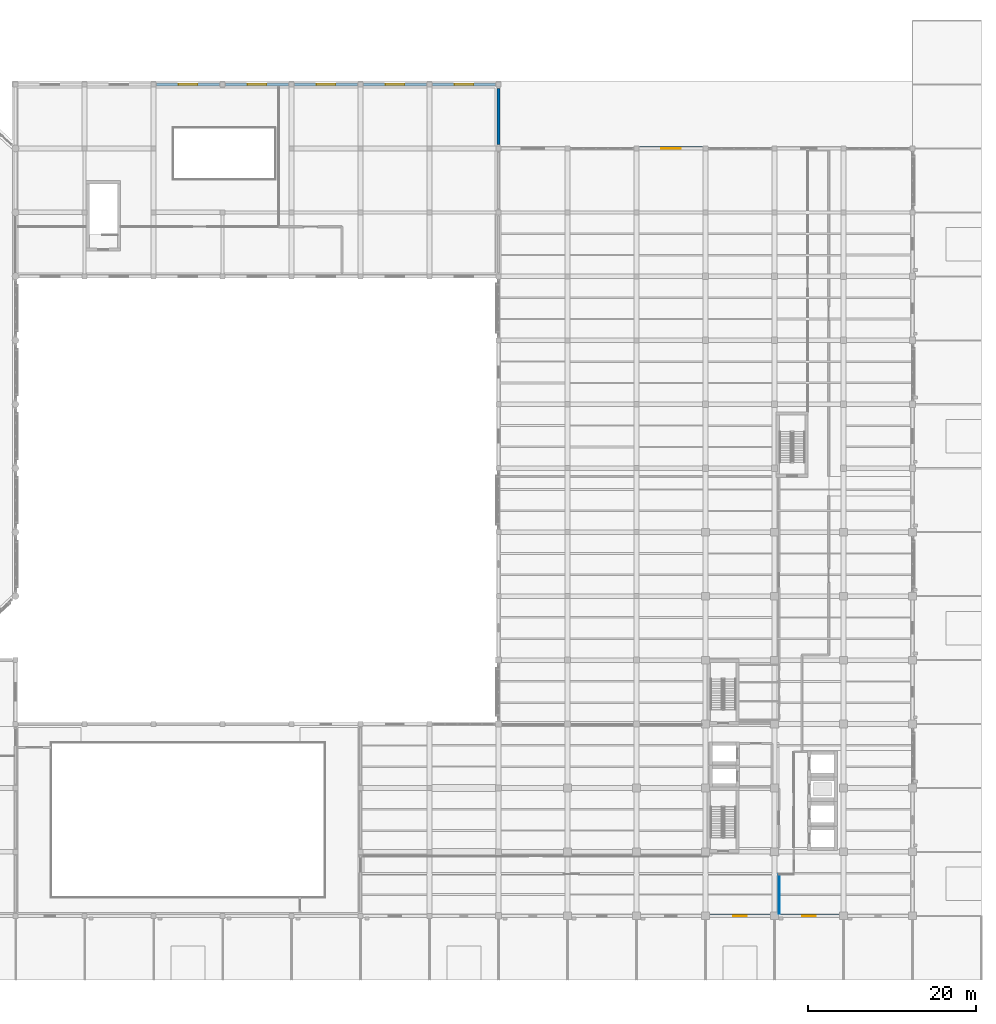
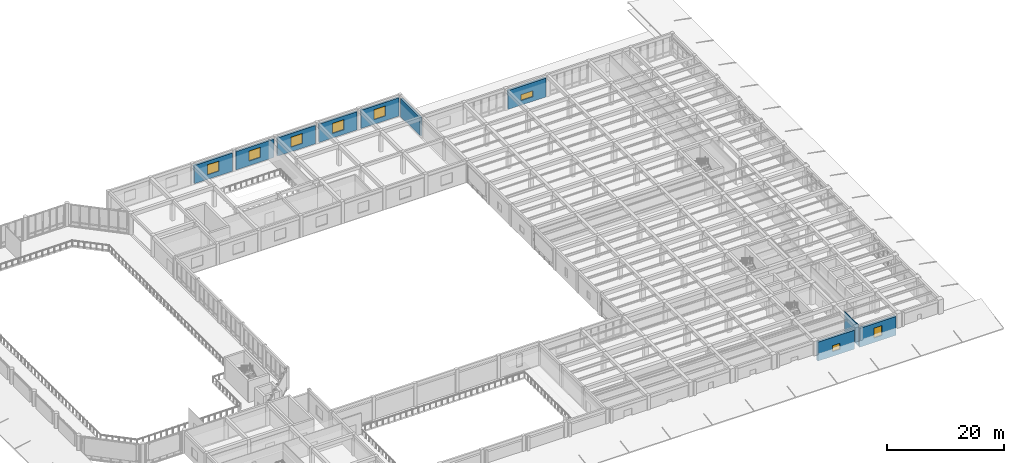
# One storey, part 40 of 57: 10 walls, 8 windows, 8 openings.
"""IFC4 building model written with IfcOpenShell, lengths in metres."""

from ifc_helpers import new_model, si_unit, direction, frame, frame_2d, origin, place, context, subcontext, project, spatial, rectangle, extrude, material, layer, layer_set, type_object, element, fill, save


model = new_model("IFC4")

# Units and contexts
model_context = context("Model", 3, precision=1e-05, world=origin(), true_north=direction((0.0, 1.0)))
body_context = subcontext(model_context, "Body", "Model", "MODEL_VIEW")
ifc_project = project(units=[si_unit("LENGTHUNIT", "METRE"), si_unit("AREAUNIT", "SQUARE_METRE"), si_unit("VOLUMEUNIT", "CUBIC_METRE"), si_unit("PLANEANGLEUNIT", "RADIAN"), si_unit("MASSUNIT", "GRAM", prefix="KILO")], contexts=[model_context])

# Site, building, storey
site_placement = place(None, origin())
site = spatial("IfcSite", under=ifc_project, at=site_placement, CompositionType="ELEMENT")
building_placement = place(site_placement, origin())
building = spatial("IfcBuilding", under=site, at=building_placement, Name="Qandaris Square Conservatory and Botanical Centre", CompositionType="ELEMENT")
storey_placement = place(building_placement, frame((0.0, 0.0, 5.39990234375)))
storey = spatial("IfcBuildingStorey", under=building, at=storey_placement, Name="L01", CompositionType="ELEMENT", Elevation=5.39990234375)

# Wall, opening, window
ifc_material_1 = material(Name="Precast concrete C40/50", Category="concrete")
ifc_layer_1 = layer(ifc_material_1, 0.360107421875)
ifc_layer_set_1 = layer_set([ifc_layer_1], Name="Precast concrete C40/50")
wall_type_1 = type_object("IfcWallType", Name="Architectural Precast Cladding Wall 360mm", PredefinedType="SOLIDWALL", material=ifc_layer_set_1)
wall_1_placement = place(storey_placement, frame((114.239990234375, 115.39990234375, 0.0), z_axis=(0.0, 0.0, 1.0), x_axis=(-1.0, 0.0, 0.0)))
wall_1 = element("IfcWall", 1, at=wall_1_placement, inside=storey, type_object=wall_type_1, Name="Exterior Wall EW-V3B-L01-3-1", PredefinedType="SOLIDWALL", context=body_context, shape_type="SweptSolid", body=[
    extrude(rectangle(XDim=7.47998046875, YDim=0.360107421875, at=frame_2d((3.739990234375, 0.0))), origin(), (0.0, 0.0, 1.0), 3.80517578125),
])
opening_1_placement = place(wall_1_placement, frame((2.614990234375, 0.0, 0.949951171875)))
opening_1 = element("IfcOpeningElement", 2, at=opening_1_placement, cuts=wall_1, Name="Opening WN-12", PredefinedType="OPENING", context=body_context, shape_type="SweptSolid", body=[
    extrude(rectangle(XDim=2.25, YDim=2.10009765625, at=frame_2d((1.125, 1.050048828125))), frame((0.0, 0.19189453125, 0.0), z_axis=(0.0, -1.0, 0.0), x_axis=(1.0, 0.0, 0.0)), (0.0, 0.0, 1.0), 0.384033203125),
])
ifc_material_2 = material(Name="Tempered Low-E Glass", Category="glass")
window_type_1 = type_object("IfcWindowType", Name="Cafe Shaded Court Window 2250x2100", PartitioningType="DOUBLE_PANEL_VERTICAL", PredefinedType="WINDOW", material=ifc_material_2)
window_1_placement = place(opening_1_placement, origin())
window_1 = element("IfcWindow", 3, at=window_1_placement, inside=storey, type_object=window_type_1, Name="Window EW-V3B-L01-3-1", OverallHeight=2.10009765625, OverallWidth=2.25, PartitioningType="DOUBLE_PANEL_VERTICAL", PredefinedType="WINDOW", context=body_context, shape_type="SweptSolid", body=[
    extrude(rectangle(XDim=2.25, YDim=2.10009765625, at=frame_2d((1.125, 1.050048828125))), frame((0.0, 0.030029296875, 0.0), z_axis=(0.0, -1.0, 0.0), x_axis=(1.0, 0.0, 0.0)), (0.0, 0.0, 1.0), 0.06005859375),
])
fill(opening_1, window_1)

wall_2_placement = place(storey_placement, frame((106.0400390625, 115.39990234375, 0.0), z_axis=(0.0, 0.0, 1.0), x_axis=(-1.0, 0.0, 0.0)))
wall_2 = element("IfcWall", 4, at=wall_2_placement, inside=storey, type_object=wall_type_1, Name="Exterior Wall EW-V3B-L01-3-2", PredefinedType="SOLIDWALL", context=body_context, shape_type="SweptSolid", body=[
    extrude(rectangle(XDim=7.47998046875, YDim=0.360107421875, at=frame_2d((3.739990234375, 0.0))), origin(), (0.0, 0.0, 1.0), 3.80517578125),
])
opening_2_placement = place(wall_2_placement, frame((2.614990234375, 0.0, 0.949951171875)))
opening_2 = element("IfcOpeningElement", 5, at=opening_2_placement, cuts=wall_2, Name="Opening WN-12", PredefinedType="OPENING", context=body_context, shape_type="SweptSolid", body=[
    extrude(rectangle(XDim=2.25, YDim=2.10009765625, at=frame_2d((1.125, 1.050048828125))), frame((0.0, 0.19189453125, 0.0), z_axis=(0.0, -1.0, 0.0), x_axis=(1.0, 0.0, 0.0)), (0.0, 0.0, 1.0), 0.384033203125),
])
window_2_placement = place(opening_2_placement, origin())
window_2 = element("IfcWindow", 6, at=window_2_placement, inside=storey, type_object=window_type_1, Name="Window EW-V3B-L01-3-2", OverallHeight=2.10009765625, OverallWidth=2.25, PartitioningType="DOUBLE_PANEL_VERTICAL", PredefinedType="WINDOW", context=body_context, shape_type="SweptSolid", body=[
    extrude(rectangle(XDim=2.25, YDim=2.10009765625, at=frame_2d((1.125, 1.050048828125))), frame((0.0, 0.030029296875, 0.0), z_axis=(0.0, -1.0, 0.0), x_axis=(1.0, 0.0, 0.0)), (0.0, 0.0, 1.0), 0.06005859375),
])
fill(opening_2, window_2)

wall_3_placement = place(storey_placement, frame((97.840087890625, 115.39990234375, 0.0), z_axis=(0.0, 0.0, 1.0), x_axis=(-1.0, 0.0, 0.0)))
wall_3 = element("IfcWall", 7, at=wall_3_placement, inside=storey, type_object=wall_type_1, Name="Exterior Wall EW-V3B-L01-3-3", PredefinedType="SOLIDWALL", context=body_context, shape_type="SweptSolid", body=[
    extrude(rectangle(XDim=7.47998046875, YDim=0.360107421875, at=frame_2d((3.739990234375, 0.0))), origin(), (0.0, 0.0, 1.0), 3.80517578125),
])
opening_3_placement = place(wall_3_placement, frame((2.614990234375, 0.0, 0.949951171875)))
opening_3 = element("IfcOpeningElement", 8, at=opening_3_placement, cuts=wall_3, Name="Opening WN-12", PredefinedType="OPENING", context=body_context, shape_type="SweptSolid", body=[
    extrude(rectangle(XDim=2.25, YDim=2.10009765625, at=frame_2d((1.125, 1.050048828125))), frame((0.0, 0.19189453125, 0.0), z_axis=(0.0, -1.0, 0.0), x_axis=(1.0, 0.0, 0.0)), (0.0, 0.0, 1.0), 0.384033203125),
])
window_3_placement = place(opening_3_placement, origin())
window_3 = element("IfcWindow", 9, at=window_3_placement, inside=storey, type_object=window_type_1, Name="Window EW-V3B-L01-3-3", OverallHeight=2.10009765625, OverallWidth=2.25, PartitioningType="DOUBLE_PANEL_VERTICAL", PredefinedType="WINDOW", context=body_context, shape_type="SweptSolid", body=[
    extrude(rectangle(XDim=2.25, YDim=2.10009765625, at=frame_2d((1.125, 1.050048828125))), frame((0.0, 0.030029296875, 0.0), z_axis=(0.0, -1.0, 0.0), x_axis=(1.0, 0.0, 0.0)), (0.0, 0.0, 1.0), 0.06005859375),
])
fill(opening_3, window_3)

wall_4_placement = place(storey_placement, frame((89.639892578125, 115.39990234375, 0.0), z_axis=(0.0, 0.0, 1.0), x_axis=(-1.0, 0.0, 0.0)))
wall_4 = element("IfcWall", 10, at=wall_4_placement, inside=storey, type_object=wall_type_1, Name="Exterior Wall EW-V3B-L01-3-4", PredefinedType="SOLIDWALL", context=body_context, shape_type="SweptSolid", body=[
    extrude(rectangle(XDim=7.47998046875, YDim=0.360107421875, at=frame_2d((3.739990234375, 0.0))), origin(), (0.0, 0.0, 1.0), 3.80517578125),
])
opening_4_placement = place(wall_4_placement, frame((2.614990234375, 0.0, 0.949951171875)))
opening_4 = element("IfcOpeningElement", 11, at=opening_4_placement, cuts=wall_4, Name="Opening WN-12", PredefinedType="OPENING", context=body_context, shape_type="SweptSolid", body=[
    extrude(rectangle(XDim=2.25, YDim=2.10009765625, at=frame_2d((1.125, 1.050048828125))), frame((0.0, 0.19189453125, 0.0), z_axis=(0.0, -1.0, 0.0), x_axis=(1.0, 0.0, 0.0)), (0.0, 0.0, 1.0), 0.384033203125),
])
window_4_placement = place(opening_4_placement, origin())
window_4 = element("IfcWindow", 12, at=window_4_placement, inside=storey, type_object=window_type_1, Name="Window EW-V3B-L01-3-4", OverallHeight=2.10009765625, OverallWidth=2.25, PartitioningType="DOUBLE_PANEL_VERTICAL", PredefinedType="WINDOW", context=body_context, shape_type="SweptSolid", body=[
    extrude(rectangle(XDim=2.25, YDim=2.10009765625, at=frame_2d((1.125, 1.050048828125))), frame((0.0, 0.030029296875, 0.0), z_axis=(0.0, -1.0, 0.0), x_axis=(1.0, 0.0, 0.0)), (0.0, 0.0, 1.0), 0.06005859375),
])
fill(opening_4, window_4)

wall_5_placement = place(storey_placement, frame((81.43994140625, 115.39990234375, 0.0), z_axis=(0.0, 0.0, 1.0), x_axis=(-1.0, 0.0, 0.0)))
wall_5 = element("IfcWall", 13, at=wall_5_placement, inside=storey, type_object=wall_type_1, Name="Exterior Wall EW-V3B-L01-3-5", PredefinedType="SOLIDWALL", context=body_context, shape_type="SweptSolid", body=[
    extrude(rectangle(XDim=7.47998046875, YDim=0.360107421875, at=frame_2d((3.739990234375, 0.0))), origin(), (0.0, 0.0, 1.0), 3.80517578125),
])
opening_5_placement = place(wall_5_placement, frame((2.614990234375, 0.0, 0.949951171875)))
opening_5 = element("IfcOpeningElement", 14, at=opening_5_placement, cuts=wall_5, Name="Opening WN-12", PredefinedType="OPENING", context=body_context, shape_type="SweptSolid", body=[
    extrude(rectangle(XDim=2.25, YDim=2.10009765625, at=frame_2d((1.125, 1.050048828125))), frame((0.0, 0.19189453125, 0.0), z_axis=(0.0, -1.0, 0.0), x_axis=(1.0, 0.0, 0.0)), (0.0, 0.0, 1.0), 0.384033203125),
])
window_5_placement = place(opening_5_placement, origin())
window_5 = element("IfcWindow", 15, at=window_5_placement, inside=storey, type_object=window_type_1, Name="Window EW-V3B-L01-3-5", OverallHeight=2.10009765625, OverallWidth=2.25, PartitioningType="DOUBLE_PANEL_VERTICAL", PredefinedType="WINDOW", context=body_context, shape_type="SweptSolid", body=[
    extrude(rectangle(XDim=2.25, YDim=2.10009765625, at=frame_2d((1.125, 1.050048828125))), frame((0.0, 0.030029296875, 0.0), z_axis=(0.0, -1.0, 0.0), x_axis=(1.0, 0.0, 0.0)), (0.0, 0.0, 1.0), 0.06005859375),
])
fill(opening_5, window_5)

# Walls
wall_6_placement = place(storey_placement, frame((114.60009765625, 108.25, 0.0), z_axis=(0.0, 0.0, 1.0), x_axis=(0.0, 1.0, 0.0)))
element("IfcWall", 16, at=wall_6_placement, inside=storey, type_object=wall_type_1, Name="Compartment Wall EW-V3B-L01-STEP", PredefinedType="SOLIDWALL", context=body_context, shape_type="SweptSolid", body=[
    extrude(rectangle(XDim=6.699951171875, YDim=0.360107421875, at=frame_2d((3.35009765625, 0.0))), origin(), (0.0, 0.0, 1.0), 3.80517578125),
])
ifc_layer_2 = layer(ifc_material_2, 0.10009765625)
ifc_layer_set_2 = layer_set([ifc_layer_2], Name="Tempered Low-E Glass")
wall_type_2 = type_object("IfcWallType", Name="Framed Acoustic Glazed Gallery Screen 100mm", PredefinedType="PARTITIONING", material=ifc_layer_set_2)
wall_7_placement = place(storey_placement, frame((147.949951171875, 21.550048828125, 0.0), z_axis=(0.0, 0.0, 1.0), x_axis=(0.0, -1.0, 0.0)))
element("IfcWall", 17, at=wall_7_placement, inside=storey, type_object=wall_type_2, Name="Interior Partition IW-L01-0118", PredefinedType="PARTITIONING", context=body_context, shape_type="SweptSolid", body=[
    extrude(rectangle(XDim=4.7099609375, YDim=0.10009765625, at=frame_2d((2.35498046875, 0.0))), origin(), (0.0, 0.0, 1.0), 4.405029296875),
])

# Wall, opening, window
ifc_material_3 = material(Name="Concrete C40/50", Category="concrete")
ifc_layer_3 = layer(ifc_material_3, 0.419921875)
ifc_layer_set_3 = layer_set([ifc_layer_3], Name="Concrete C40/50")
wall_type_3 = type_object("IfcWallType", Name="Insulated Qatari Limestone Cavity Wall 420mm", PredefinedType="SOLIDWALL", material=ifc_layer_set_3)
wall_8_placement = place(storey_placement, frame((139.7099609375, 16.60009765625, 0.0), z_axis=(0.0, 0.0, 1.0), x_axis=(1.0, 0.0, 0.0)))
wall_8 = element("IfcWall", 18, at=wall_8_placement, inside=storey, type_object=wall_type_3, Name="Exterior Wall EW-TWR-L01-1-6", PredefinedType="SOLIDWALL", context=body_context, shape_type="SweptSolid", body=[
    extrude(rectangle(XDim=7.179931640625, YDim=0.419921875, at=frame_2d((3.58984375, 0.0))), origin(), (0.0, 0.0, 1.0), 3.93017578125),
])
opening_6_placement = place(wall_8_placement, frame((2.81494140625, 0.0, 0.949951171875)))
opening_6 = element("IfcOpeningElement", 19, at=opening_6_placement, cuts=wall_8, Name="Opening WN-25", PredefinedType="OPENING", context=body_context, shape_type="SweptSolid", body=[
    extrude(rectangle(XDim=1.550048828125, YDim=1.25, at=frame_2d((0.77490234375, 0.625))), frame((0.0, 0.221923828125, 0.0), z_axis=(0.0, -1.0, 0.0), x_axis=(1.0, 0.0, 0.0)), (0.0, 0.0, 1.0), 0.44384765625),
])
window_type_2 = type_object("IfcWindowType", Name="Solar Control Window 1550x1250", PartitioningType="DOUBLE_PANEL_VERTICAL", PredefinedType="WINDOW", material=ifc_material_2)
window_6_placement = place(opening_6_placement, origin())
window_6 = element("IfcWindow", 20, at=window_6_placement, inside=storey, type_object=window_type_2, Name="Window EW-TWR-L01-1-6", OverallHeight=1.25, OverallWidth=1.550048828125, PartitioningType="DOUBLE_PANEL_VERTICAL", PredefinedType="WINDOW", context=body_context, shape_type="SweptSolid", body=[
    extrude(rectangle(XDim=1.550048828125, YDim=1.25, at=frame_2d((0.77490234375, 0.625))), frame((0.0, 0.030029296875, 0.0), z_axis=(0.0, -1.0, 0.0), x_axis=(1.0, 0.0, 0.0)), (0.0, 0.0, 1.0), 0.06005859375),
])
fill(opening_6, window_6)

wall_9_placement = place(storey_placement, frame((147.909912109375, 16.60009765625, 0.0), z_axis=(0.0, 0.0, 1.0), x_axis=(1.0, 0.0, 0.0)))
wall_9 = element("IfcWall", 21, at=wall_9_placement, inside=storey, type_object=wall_type_3, Name="Exterior Wall EW-TWR-L01-1-7", PredefinedType="SOLIDWALL", context=body_context, shape_type="SweptSolid", body=[
    extrude(rectangle(XDim=7.18017578125, YDim=0.419921875, at=frame_2d((3.590087890625, 0.0))), origin(), (0.0, 0.0, 1.0), 3.93017578125),
])
opening_7_placement = place(wall_9_placement, frame((2.81494140625, 0.0, 0.949951171875)))
opening_7 = element("IfcOpeningElement", 22, at=opening_7_placement, cuts=wall_9, Name="Opening WN-28", PredefinedType="OPENING", context=body_context, shape_type="SweptSolid", body=[
    extrude(rectangle(XDim=1.550048828125, YDim=2.050048828125, at=frame_2d((0.77490234375, 1.02490234375))), frame((0.0, 0.221923828125, 0.0), z_axis=(0.0, -1.0, 0.0), x_axis=(1.0, 0.0, 0.0)), (0.0, 0.0, 1.0), 0.44384765625),
])
window_type_3 = type_object("IfcWindowType", Name="Solar Control Window 1550x2050", PartitioningType="DOUBLE_PANEL_VERTICAL", PredefinedType="WINDOW", material=ifc_material_2)
window_7_placement = place(opening_7_placement, origin())
window_7 = element("IfcWindow", 23, at=window_7_placement, inside=storey, type_object=window_type_3, Name="Window EW-TWR-L01-1-7", OverallHeight=2.050048828125, OverallWidth=1.550048828125, PartitioningType="DOUBLE_PANEL_VERTICAL", PredefinedType="WINDOW", context=body_context, shape_type="SweptSolid", body=[
    extrude(rectangle(XDim=1.550048828125, YDim=2.050048828125, at=frame_2d((0.77490234375, 1.02490234375))), frame((0.0, 0.030029296875, 0.0), z_axis=(0.0, -1.0, 0.0), x_axis=(1.0, 0.0, 0.0)), (0.0, 0.0, 1.0), 0.06005859375),
])
fill(opening_7, window_7)

wall_10_placement = place(storey_placement, frame((138.840087890625, 107.800048828125, 0.0), z_axis=(0.0, 0.0, 1.0), x_axis=(-1.0, 0.0, 0.0)))
wall_10 = element("IfcWall", 24, at=wall_10_placement, inside=storey, type_object=wall_type_3, Name="Exterior Wall EW-TWR-L01-3-4", PredefinedType="SOLIDWALL", context=body_context, shape_type="SweptSolid", body=[
    extrude(rectangle(XDim=7.47998046875, YDim=0.419921875, at=frame_2d((3.739990234375, 0.0))), origin(), (0.0, 0.0, 1.0), 3.93017578125),
])
opening_8_placement = place(wall_10_placement, frame((2.56494140625, 0.0, 0.949951171875)))
opening_8 = element("IfcOpeningElement", 25, at=opening_8_placement, cuts=wall_10, Name="Opening WN-37", PredefinedType="OPENING", context=body_context, shape_type="SweptSolid", body=[
    extrude(rectangle(XDim=2.35009765625, YDim=1.25, at=frame_2d((1.175048828125, 0.625))), frame((0.0, 0.221923828125, 0.0), z_axis=(0.0, -1.0, 0.0), x_axis=(1.0, 0.0, 0.0)), (0.0, 0.0, 1.0), 0.44384765625),
])
window_type_4 = type_object("IfcWindowType", Name="Solar Control Window 2350x1250", PartitioningType="DOUBLE_PANEL_VERTICAL", PredefinedType="WINDOW", material=ifc_material_2)
window_8_placement = place(opening_8_placement, origin())
window_8 = element("IfcWindow", 26, at=window_8_placement, inside=storey, type_object=window_type_4, Name="Window EW-TWR-L01-3-4", OverallHeight=1.25, OverallWidth=2.35009765625, PartitioningType="DOUBLE_PANEL_VERTICAL", PredefinedType="WINDOW", context=body_context, shape_type="SweptSolid", body=[
    extrude(rectangle(XDim=2.35009765625, YDim=1.25, at=frame_2d((1.175048828125, 0.625))), frame((0.0, 0.030029296875, 0.0), z_axis=(0.0, -1.0, 0.0), x_axis=(1.0, 0.0, 0.0)), (0.0, 0.0, 1.0), 0.06005859375),
])
fill(opening_8, window_8)

save(model, "model.ifc")
